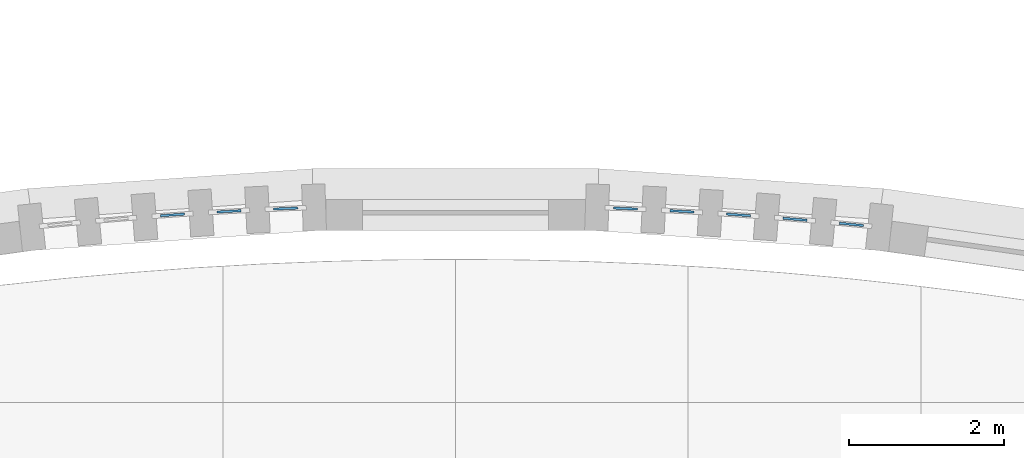
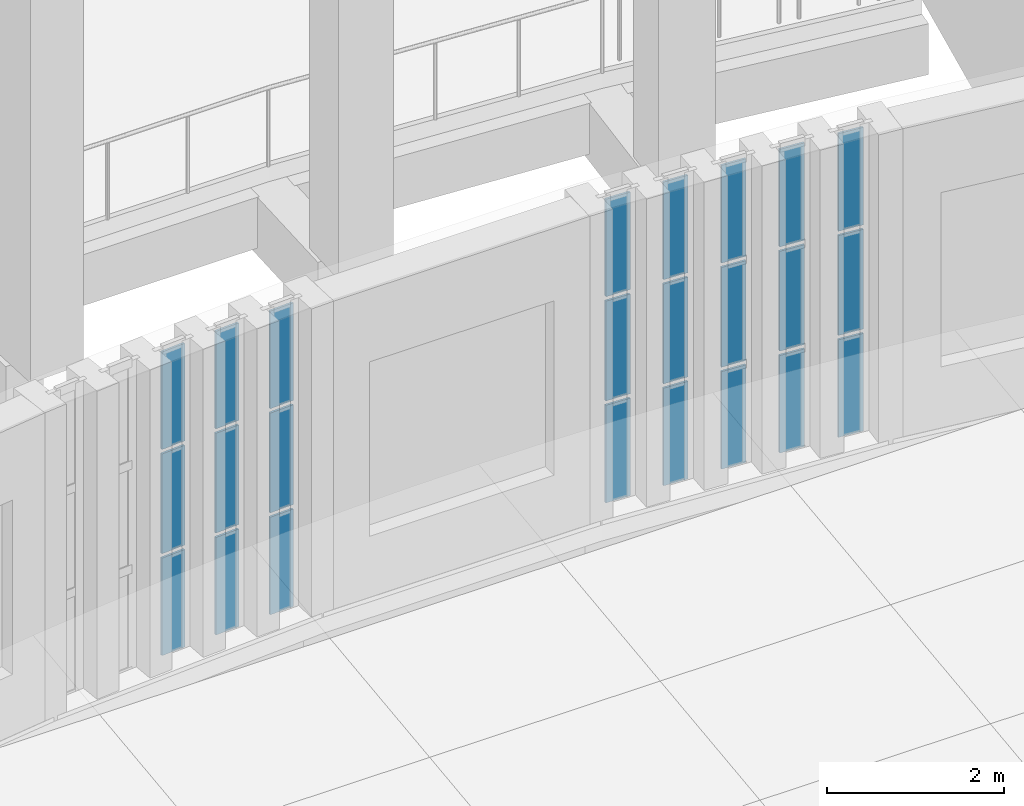
# One storey, part 44 of 112: 24 plates, 8 elements without a shape of their own.
"""IFC4 building model written with IfcOpenShell, lengths in metres."""

import ifcopenshell
import ifcopenshell.guid

model = None  # the IFC model being written
_history = None  # IfcOwnerHistory: only IFC2X3 demands one
_inside = {}  # id of a spatial element -> (the spatial element, [elements in it])
_under = {}  # id of a project, library or spatial element -> (it, [spatial elements below it])
_declared = {}  # id of a project -> (the project, [libraries it declares])
_typed = {}  # id of a type object -> (the type object, [elements of that type])
_made_of = {}  # id of a material, layer set ... -> (it, [elements and type objects made of it])


def new_model(schema):
    """Start an empty IFC model of exactly this schema.

    Asked for "IFC4X3", IfcOpenShell would pick the latest addendum, in which some entities
    have other attributes; the version numbers below select the first issue.
    IFC2X3 requires an IfcOwnerHistory on every rooted entity: one is made here for all.
    """
    global model, _history
    if schema == "IFC4X3":
        model = ifcopenshell.file(schema_version=(4, 3, 0, 0))
    else:
        model = ifcopenshell.file(schema=schema)
    _inside.clear()
    _under.clear()
    _declared.clear()
    _typed.clear()
    _made_of.clear()
    _history = None
    if model.schema == "IFC2X3":
        org = make("IfcOrganization", Name="unknown")
        user = make(
            "IfcPersonAndOrganization",
            ThePerson=make("IfcPerson", FamilyName="unknown"),
            TheOrganization=org,
        )
        app = make(
            "IfcApplication",
            ApplicationDeveloper=org,
            Version="unknown",
            ApplicationFullName="unknown",
            ApplicationIdentifier="unknown",
        )
        _history = make(
            "IfcOwnerHistory",
            OwningUser=user,
            OwningApplication=app,
            ChangeAction="ADDED",
            CreationDate=0,
        )
    return model


def make(cls, **values):
    """One entity of the class cls with the attributes given. An attribute that is None is left unset."""
    return model.create_entity(
        cls, **{name: value for name, value in values.items() if value is not None}
    )


def rooted(cls, **values):
    """An entity with a GlobalId (a new one), such as an element, a storey or a relation."""
    return make(cls, GlobalId=ifcopenshell.guid.new(), OwnerHistory=_history, **values)


def si_unit(unit_type, name, prefix=None):
    """IfcSIUnit, for example si_unit("LENGTHUNIT", "METRE", prefix="MILLI")."""
    return make("IfcSIUnit", UnitType=unit_type, Prefix=prefix, Name=name)


def assignment(units):
    """IfcUnitAssignment: the units of a project."""
    return None if units is None else make("IfcUnitAssignment", Units=units)


def point(xyz):
    """IfcCartesianPoint."""
    return None if xyz is None else make("IfcCartesianPoint", Coordinates=xyz)


def direction(xyz):
    """IfcDirection."""
    return None if xyz is None else make("IfcDirection", DirectionRatios=xyz)


def frame(location, z_axis=None, x_axis=None):
    """IfcAxis2Placement3D, a coordinate frame: its origin and axes. An axis left out is left unset."""
    return make(
        "IfcAxis2Placement3D",
        Location=point(location),
        Axis=direction(z_axis),
        RefDirection=direction(x_axis),
    )


def frame_2d(location, x_axis=None):
    """IfcAxis2Placement2D, a coordinate frame in the plane: its origin and x axis."""
    return make(
        "IfcAxis2Placement2D", Location=point(location), RefDirection=direction(x_axis)
    )


def origin():
    """The frame at (0, 0, 0) with its axes left unset."""
    return frame((0.0, 0.0, 0.0))


def origin_2d():
    """The frame at (0, 0) in the plane with its x axis left unset."""
    return frame_2d((0.0, 0.0))


def place(relative_to, where):
    """IfcLocalPlacement: puts the frame where relative to a parent placement (None: the world)."""
    return make(
        "IfcLocalPlacement", PlacementRelTo=relative_to, RelativePlacement=where
    )


def context(
    kind, dimensions, precision=None, world=None, true_north=None, identifier=None
):
    """IfcGeometricRepresentationContext, for example the 3D "Model" context."""
    return make(
        "IfcGeometricRepresentationContext",
        ContextIdentifier=identifier,
        ContextType=kind,
        CoordinateSpaceDimension=dimensions,
        Precision=precision,
        WorldCoordinateSystem=world,
        TrueNorth=true_north,
    )


def subcontext(parent, identifier, kind, view, scale=None):
    """IfcGeometricRepresentationSubContext, for example "Body" below "Model"."""
    return make(
        "IfcGeometricRepresentationSubContext",
        ContextIdentifier=identifier,
        ContextType=kind,
        ParentContext=parent,
        TargetScale=scale,
        TargetView=view,
    )


def project(units=None, contexts=None):
    """IfcProject with its units and contexts."""
    return rooted(
        "IfcProject",
        Name="project",
        RepresentationContexts=contexts,
        UnitsInContext=assignment(units),
    )


def spatial(cls, under=None, at=None, **own):
    """A site, building, storey or space (cls), placed at a placement, below another one or the project."""
    s = rooted(cls, ObjectPlacement=at, **own)
    if under is not None:
        _under.setdefault(under.id(), (under, []))[1].append(s)
    return s


def profile(cls, at=None, kind="AREA", **sizes):
    """A parametric profile (cls). Its sizes go by their IFC names, for example OverallWidth=200.0."""
    return make(cls, ProfileType=kind, Position=at, **sizes)


def rectangle(**sizes):
    """IfcRectangleProfileDef."""
    return profile("IfcRectangleProfileDef", **sizes)


def extrude(swept, where, along, depth):
    """IfcExtrudedAreaSolid: the profile swept, set in the frame where, extruded along a direction by depth."""
    return make(
        "IfcExtrudedAreaSolid",
        SweptArea=swept,
        Position=where,
        ExtrudedDirection=direction(along),
        Depth=depth,
    )


def shape(context_of_items, identifier, shape_type, items):
    """IfcShapeRepresentation: the items that make up one representation, for example the "Body"."""
    return make(
        "IfcShapeRepresentation",
        ContextOfItems=context_of_items,
        RepresentationIdentifier=identifier,
        RepresentationType=shape_type,
        Items=items,
    )


def material(Name=None, Category=None):
    """IfcMaterial."""
    return make("IfcMaterial", Name=Name, Category=Category)


def layer(
    of_material, thickness, ventilated=None, Name=None, Category=None, Priority=None
):
    """IfcMaterialLayer: one layer of a wall or slab, of a material (None: an air gap)."""
    return make(
        "IfcMaterialLayer",
        Material=of_material,
        LayerThickness=thickness,
        IsVentilated=ventilated,
        Name=Name,
        Category=Category,
        Priority=Priority,
    )


def layer_set(layers, Name=None):
    """IfcMaterialLayerSet."""
    return make("IfcMaterialLayerSet", MaterialLayers=layers, LayerSetName=Name)


def made_of(thing, what):
    """Note that an element or type object is made of a material, layer set ...; save() writes the relation."""
    if what is not None:
        _made_of.setdefault(what.id(), (what, []))[1].append(thing)
    return thing


def type_object(cls, material=None, **own):
    """A type object (cls), such as IfcWallType, which elements share."""
    return made_of(rooted(cls, **own), material)


def element(
    cls,
    number,
    at=None,
    inside=None,
    cuts=None,
    type_object=None,
    material=None,
    context=None,
    identifier="Body",
    shape_type=None,
    held_by="IfcProductDefinitionShape",
    body=None,
    shapes=None,
    **own,
):
    """One element of the class cls, such as IfcWall. Its Tag is "e" and its number.

    at: its placement. inside: the storey or other place that contains it. cuts: it is an
    opening in that element (IfcRelVoidsElement). A single representation is given by context,
    identifier, shape_type and body (its items); several are given by shapes. held_by: the class
    of the entity that holds the representations. save() writes the other relations.
    """
    e = rooted(cls, Tag="e%d" % number, ObjectPlacement=at, **own)
    if body is not None:
        shapes = [shape(context, identifier, shape_type, body)]
    if shapes is not None:
        e.Representation = make(held_by, Representations=shapes)
    if inside is not None:
        _inside.setdefault(inside.id(), (inside, []))[1].append(e)
    if cuts is not None:
        rooted(
            "IfcRelVoidsElement", RelatingBuildingElement=cuts, RelatedOpeningElement=e
        )
    if type_object is not None:
        _typed.setdefault(type_object.id(), (type_object, []))[1].append(e)
    return made_of(e, material)


def aggregate(whole, parts):
    """IfcRelAggregates: a whole, such as a stair, and the parts it consists of."""
    return rooted("IfcRelAggregates", RelatingObject=whole, RelatedObjects=parts)


def save(model, path):
    """Write the relations noted so far, then the file.

    IfcRelAggregates (storeys below a building ...), IfcRelContainedInSpatialStructure (elements
    in a storey), IfcRelDefinesByType, IfcRelAssociatesMaterial and IfcRelDeclares: one each for
    every whole, place, type object, material and project.
    """
    for whole, parts in _under.values():
        aggregate(whole, parts)
    for where, things in _inside.values():
        rooted(
            "IfcRelContainedInSpatialStructure",
            RelatedElements=things,
            RelatingStructure=where,
        )
    for kind, things in _typed.values():
        rooted("IfcRelDefinesByType", RelatedObjects=things, RelatingType=kind)
    for what, things in _made_of.values():
        rooted("IfcRelAssociatesMaterial", RelatedObjects=things, RelatingMaterial=what)
    for by, libraries in _declared.values():
        rooted("IfcRelDeclares", RelatingContext=by, RelatedDefinitions=libraries)
    model.write(path)


model = new_model("IFC4")

# Units and contexts
model_context = context("Model", 3, precision=1e-05, world=origin(), true_north=direction((0.0, 1.0)))
body_context = subcontext(model_context, "Body", "Model", "MODEL_VIEW")
ifc_project = project(units=[si_unit("LENGTHUNIT", "METRE"), si_unit("AREAUNIT", "SQUARE_METRE"), si_unit("VOLUMEUNIT", "CUBIC_METRE"), si_unit("PLANEANGLEUNIT", "RADIAN"), si_unit("MASSUNIT", "GRAM", prefix="KILO")], contexts=[model_context])

# Site, building, storey
site_placement = place(None, origin())
site = spatial("IfcSite", under=ifc_project, at=site_placement, CompositionType="ELEMENT")
building_placement = place(site_placement, origin())
building = spatial("IfcBuilding", under=site, at=building_placement, Name="Lunette Opera House", CompositionType="ELEMENT")
storey_placement = place(building_placement, frame((0.0, 0.0, 6.0)))
storey = spatial("IfcBuildingStorey", under=building, at=storey_placement, Name="L01", CompositionType="ELEMENT", Elevation=6.0)

# Curtain wall, plates
ifc_material_1 = material(Name="Aluminium", Category="aluminium")
ifc_layer_1 = layer(ifc_material_1, 0.1201171875)
ifc_layer_set_1 = layer_set([ifc_layer_1], Name="Aluminium")
curtain_wall_type = type_object("IfcCurtainWallType", Name="SLOT CURTAIN WALL", PredefinedType="NOTDEFINED", material=ifc_layer_set_1)
curtain_wall_1_placement = place(storey_placement, origin())
curtain_wall_1 = element("IfcCurtainWall", 1, at=curtain_wall_1_placement, inside=storey, type_object=curtain_wall_type, Name="Slot Curtain Wall CS038 L01", PredefinedType="NOTDEFINED")
ifc_material_2 = material(Name="Laminated glass", Category="glass")
ifc_layer_2 = layer(ifc_material_2, 0.028076171875)
ifc_layer_set_2 = layer_set([ifc_layer_2], Name="Laminated glass")
plate_type = type_object("IfcPlateType", Name="CURTAIN PANEL LAMINATED GLASS 28", PredefinedType="CURTAIN_PANEL", material=ifc_layer_set_2)
plate_1_placement = place(storey_placement, frame((92.3515625, 52.172119140625, 0.06005859375), z_axis=(0.0, 0.0, 1.0), x_axis=(0.997563824094, 0.069759707987, 0.0)))
plate_1 = element("IfcPlate", 2, at=plate_1_placement, type_object=plate_type, Name="FC-X2076 panel 1.1", PredefinedType="CURTAIN_PANEL", context=body_context, shape_type="SweptSolid", body=[
    extrude(rectangle(XDim=0.31005859375, YDim=0.028076171875, at=origin_2d()), origin(), (0.0, 0.0, 1.0), 1.343017578125),
])
plate_2_placement = place(storey_placement, frame((92.3515625, 52.172119140625, 1.462890625), z_axis=(0.0, 0.0, 1.0), x_axis=(0.997563824094, 0.069759707987, 0.0)))
plate_2 = element("IfcPlate", 3, at=plate_2_placement, type_object=plate_type, Name="FC-X2076 panel 1.2", PredefinedType="CURTAIN_PANEL", context=body_context, shape_type="SweptSolid", body=[
    extrude(rectangle(XDim=0.31005859375, YDim=0.028076171875, at=origin_2d()), origin(), (0.0, 0.0, 1.0), 1.3740234375),
])
plate_3_placement = place(storey_placement, frame((92.3515625, 52.172119140625, 2.89697265625), z_axis=(0.0, 0.0, 1.0), x_axis=(0.997563824094, 0.069759707987, 0.0)))
plate_3 = element("IfcPlate", 4, at=plate_3_placement, type_object=plate_type, Name="FC-X2076 panel 1.3", PredefinedType="CURTAIN_PANEL", context=body_context, shape_type="SweptSolid", body=[
    extrude(rectangle(XDim=0.31005859375, YDim=0.028076171875, at=origin_2d()), origin(), (0.0, 0.0, 1.0), 1.343017578125),
])
aggregate(curtain_wall_1, [plate_1, plate_2, plate_3])

curtain_wall_2_placement = place(storey_placement, origin())
curtain_wall_2 = element("IfcCurtainWall", 5, at=curtain_wall_2_placement, inside=storey, type_object=curtain_wall_type, Name="Slot Curtain Wall CS039 L01", PredefinedType="NOTDEFINED")
plate_4_placement = place(storey_placement, frame((93.08056640625, 52.218017578125, 0.06005859375), z_axis=(0.0, 0.0, 1.0), x_axis=(0.99843879497, 0.055856715797, 0.0)))
plate_4 = element("IfcPlate", 6, at=plate_4_placement, type_object=plate_type, Name="FC-X2078 panel 1.1", PredefinedType="CURTAIN_PANEL", context=body_context, shape_type="SweptSolid", body=[
    extrude(rectangle(XDim=0.3095703125, YDim=0.028076171875, at=origin_2d()), origin(), (0.0, 0.0, 1.0), 1.343017578125),
])
plate_5_placement = place(storey_placement, frame((93.08056640625, 52.218017578125, 1.462890625), z_axis=(0.0, 0.0, 1.0), x_axis=(0.99843879497, 0.055856715797, 0.0)))
plate_5 = element("IfcPlate", 7, at=plate_5_placement, type_object=plate_type, Name="FC-X2078 panel 1.2", PredefinedType="CURTAIN_PANEL", context=body_context, shape_type="SweptSolid", body=[
    extrude(rectangle(XDim=0.3095703125, YDim=0.028076171875, at=origin_2d()), origin(), (0.0, 0.0, 1.0), 1.3740234375),
])
plate_6_placement = place(storey_placement, frame((93.08056640625, 52.218017578125, 2.89697265625), z_axis=(0.0, 0.0, 1.0), x_axis=(0.99843879497, 0.055856715797, 0.0)))
plate_6 = element("IfcPlate", 8, at=plate_6_placement, type_object=plate_type, Name="FC-X2078 panel 1.3", PredefinedType="CURTAIN_PANEL", context=body_context, shape_type="SweptSolid", body=[
    extrude(rectangle(XDim=0.3095703125, YDim=0.028076171875, at=origin_2d()), origin(), (0.0, 0.0, 1.0), 1.343017578125),
])
aggregate(curtain_wall_2, [plate_4, plate_5, plate_6])

curtain_wall_3_placement = place(storey_placement, origin())
curtain_wall_3 = element("IfcCurtainWall", 9, at=curtain_wall_3_placement, inside=storey, type_object=curtain_wall_type, Name="Slot Curtain Wall CS040 L01", PredefinedType="NOTDEFINED")
plate_7_placement = place(storey_placement, frame((93.81005859375, 52.25390625, 0.06005859375), z_axis=(0.0, 0.0, 1.0), x_axis=(0.999125000508, 0.04182383723, 0.0)))
plate_7 = element("IfcPlate", 10, at=plate_7_placement, type_object=plate_type, Name="FC-X2080 panel 1.1", PredefinedType="CURTAIN_PANEL", context=body_context, shape_type="SweptSolid", body=[
    extrude(rectangle(XDim=0.310302734375, YDim=0.028076171875, at=origin_2d()), origin(), (0.0, 0.0, 1.0), 1.343017578125),
])
plate_8_placement = place(storey_placement, frame((93.81005859375, 52.25390625, 1.462890625), z_axis=(0.0, 0.0, 1.0), x_axis=(0.999125000508, 0.04182383723, 0.0)))
plate_8 = element("IfcPlate", 11, at=plate_8_placement, type_object=plate_type, Name="FC-X2080 panel 1.2", PredefinedType="CURTAIN_PANEL", context=body_context, shape_type="SweptSolid", body=[
    extrude(rectangle(XDim=0.310302734375, YDim=0.028076171875, at=origin_2d()), origin(), (0.0, 0.0, 1.0), 1.3740234375),
])
plate_9_placement = place(storey_placement, frame((93.81005859375, 52.25390625, 2.89697265625), z_axis=(0.0, 0.0, 1.0), x_axis=(0.999125000508, 0.04182383723, 0.0)))
plate_9 = element("IfcPlate", 12, at=plate_9_placement, type_object=plate_type, Name="FC-X2080 panel 1.3", PredefinedType="CURTAIN_PANEL", context=body_context, shape_type="SweptSolid", body=[
    extrude(rectangle(XDim=0.310302734375, YDim=0.028076171875, at=origin_2d()), origin(), (0.0, 0.0, 1.0), 1.343017578125),
])
aggregate(curtain_wall_3, [plate_7, plate_8, plate_9])

curtain_wall_4_placement = place(storey_placement, origin())
curtain_wall_4 = element("IfcCurtainWall", 13, at=curtain_wall_4_placement, inside=storey, type_object=curtain_wall_type, Name="Slot Curtain Wall CS041 L01", PredefinedType="NOTDEFINED")
plate_10_placement = place(storey_placement, frame((98.18994140625, 52.25390625, 0.06005859375), z_axis=(0.0, 0.0, 1.0), x_axis=(0.999125000508, -0.04182383723, 0.0)))
plate_10 = element("IfcPlate", 14, at=plate_10_placement, type_object=plate_type, Name="FC-X2082 panel 1.1", PredefinedType="CURTAIN_PANEL", context=body_context, shape_type="SweptSolid", body=[
    extrude(rectangle(XDim=0.310302734375, YDim=0.028076171875, at=origin_2d()), origin(), (0.0, 0.0, 1.0), 1.343017578125),
])
plate_11_placement = place(storey_placement, frame((98.18994140625, 52.25390625, 1.462890625), z_axis=(0.0, 0.0, 1.0), x_axis=(0.999125000508, -0.04182383723, 0.0)))
plate_11 = element("IfcPlate", 15, at=plate_11_placement, type_object=plate_type, Name="FC-X2082 panel 1.2", PredefinedType="CURTAIN_PANEL", context=body_context, shape_type="SweptSolid", body=[
    extrude(rectangle(XDim=0.310302734375, YDim=0.028076171875, at=origin_2d()), origin(), (0.0, 0.0, 1.0), 1.3740234375),
])
plate_12_placement = place(storey_placement, frame((98.18994140625, 52.25390625, 2.89697265625), z_axis=(0.0, 0.0, 1.0), x_axis=(0.999125000508, -0.04182383723, 0.0)))
plate_12 = element("IfcPlate", 16, at=plate_12_placement, type_object=plate_type, Name="FC-X2082 panel 1.3", PredefinedType="CURTAIN_PANEL", context=body_context, shape_type="SweptSolid", body=[
    extrude(rectangle(XDim=0.310302734375, YDim=0.028076171875, at=origin_2d()), origin(), (0.0, 0.0, 1.0), 1.343017578125),
])
aggregate(curtain_wall_4, [plate_10, plate_11, plate_12])

curtain_wall_5_placement = place(storey_placement, origin())
curtain_wall_5 = element("IfcCurtainWall", 17, at=curtain_wall_5_placement, inside=storey, type_object=curtain_wall_type, Name="Slot Curtain Wall CS042 L01", PredefinedType="NOTDEFINED")
plate_13_placement = place(storey_placement, frame((98.91943359375, 52.218017578125, 0.06005859375), z_axis=(0.0, 0.0, 1.0), x_axis=(0.99843879497, -0.055856715797, 0.0)))
plate_13 = element("IfcPlate", 18, at=plate_13_placement, type_object=plate_type, Name="FC-X2084 panel 1.1", PredefinedType="CURTAIN_PANEL", context=body_context, shape_type="SweptSolid", body=[
    extrude(rectangle(XDim=0.3095703125, YDim=0.028076171875, at=origin_2d()), origin(), (0.0, 0.0, 1.0), 1.343017578125),
])
plate_14_placement = place(storey_placement, frame((98.91943359375, 52.218017578125, 1.462890625), z_axis=(0.0, 0.0, 1.0), x_axis=(0.99843879497, -0.055856715797, 0.0)))
plate_14 = element("IfcPlate", 19, at=plate_14_placement, type_object=plate_type, Name="FC-X2084 panel 1.2", PredefinedType="CURTAIN_PANEL", context=body_context, shape_type="SweptSolid", body=[
    extrude(rectangle(XDim=0.3095703125, YDim=0.028076171875, at=origin_2d()), origin(), (0.0, 0.0, 1.0), 1.3740234375),
])
plate_15_placement = place(storey_placement, frame((98.91943359375, 52.218017578125, 2.89697265625), z_axis=(0.0, 0.0, 1.0), x_axis=(0.99843879497, -0.055856715797, 0.0)))
plate_15 = element("IfcPlate", 20, at=plate_15_placement, type_object=plate_type, Name="FC-X2084 panel 1.3", PredefinedType="CURTAIN_PANEL", context=body_context, shape_type="SweptSolid", body=[
    extrude(rectangle(XDim=0.3095703125, YDim=0.028076171875, at=origin_2d()), origin(), (0.0, 0.0, 1.0), 1.343017578125),
])
aggregate(curtain_wall_5, [plate_13, plate_14, plate_15])

curtain_wall_6_placement = place(storey_placement, origin())
curtain_wall_6 = element("IfcCurtainWall", 21, at=curtain_wall_6_placement, inside=storey, type_object=curtain_wall_type, Name="Slot Curtain Wall CS043 L01", PredefinedType="NOTDEFINED")
plate_16_placement = place(storey_placement, frame((99.6484375, 52.172119140625, 0.06005859375), z_axis=(0.0, 0.0, 1.0), x_axis=(0.997563824094, -0.069759707987, 0.0)))
plate_16 = element("IfcPlate", 22, at=plate_16_placement, type_object=plate_type, Name="FC-X2086 panel 1.1", PredefinedType="CURTAIN_PANEL", context=body_context, shape_type="SweptSolid", body=[
    extrude(rectangle(XDim=0.31005859375, YDim=0.028076171875, at=origin_2d()), origin(), (0.0, 0.0, 1.0), 1.343017578125),
])
plate_17_placement = place(storey_placement, frame((99.6484375, 52.172119140625, 1.462890625), z_axis=(0.0, 0.0, 1.0), x_axis=(0.997563824094, -0.069759707987, 0.0)))
plate_17 = element("IfcPlate", 23, at=plate_17_placement, type_object=plate_type, Name="FC-X2086 panel 1.2", PredefinedType="CURTAIN_PANEL", context=body_context, shape_type="SweptSolid", body=[
    extrude(rectangle(XDim=0.31005859375, YDim=0.028076171875, at=origin_2d()), origin(), (0.0, 0.0, 1.0), 1.3740234375),
])
plate_18_placement = place(storey_placement, frame((99.6484375, 52.172119140625, 2.89697265625), z_axis=(0.0, 0.0, 1.0), x_axis=(0.997563824094, -0.069759707987, 0.0)))
plate_18 = element("IfcPlate", 24, at=plate_18_placement, type_object=plate_type, Name="FC-X2086 panel 1.3", PredefinedType="CURTAIN_PANEL", context=body_context, shape_type="SweptSolid", body=[
    extrude(rectangle(XDim=0.31005859375, YDim=0.028076171875, at=origin_2d()), origin(), (0.0, 0.0, 1.0), 1.343017578125),
])
aggregate(curtain_wall_6, [plate_16, plate_17, plate_18])

curtain_wall_7_placement = place(storey_placement, origin())
curtain_wall_7 = element("IfcCurtainWall", 25, at=curtain_wall_7_placement, inside=storey, type_object=curtain_wall_type, Name="Slot Curtain Wall CS044 L01", PredefinedType="NOTDEFINED")
plate_19_placement = place(storey_placement, frame((100.37646484375, 52.115966796875, 0.06005859375), z_axis=(0.0, 0.0, 1.0), x_axis=(0.996497532655, -0.083622170575, 0.0)))
plate_19 = element("IfcPlate", 26, at=plate_19_placement, type_object=plate_type, Name="FC-X2088 panel 1.1", PredefinedType="CURTAIN_PANEL", context=body_context, shape_type="SweptSolid", body=[
    extrude(rectangle(XDim=0.310546875, YDim=0.028076171875, at=origin_2d()), origin(), (0.0, 0.0, 1.0), 1.343017578125),
])
plate_20_placement = place(storey_placement, frame((100.37646484375, 52.115966796875, 1.462890625), z_axis=(0.0, 0.0, 1.0), x_axis=(0.996497532655, -0.083622170575, 0.0)))
plate_20 = element("IfcPlate", 27, at=plate_20_placement, type_object=plate_type, Name="FC-X2088 panel 1.2", PredefinedType="CURTAIN_PANEL", context=body_context, shape_type="SweptSolid", body=[
    extrude(rectangle(XDim=0.310546875, YDim=0.028076171875, at=origin_2d()), origin(), (0.0, 0.0, 1.0), 1.3740234375),
])
plate_21_placement = place(storey_placement, frame((100.37646484375, 52.115966796875, 2.89697265625), z_axis=(0.0, 0.0, 1.0), x_axis=(0.996497532655, -0.083622170575, 0.0)))
plate_21 = element("IfcPlate", 28, at=plate_21_placement, type_object=plate_type, Name="FC-X2088 panel 1.3", PredefinedType="CURTAIN_PANEL", context=body_context, shape_type="SweptSolid", body=[
    extrude(rectangle(XDim=0.310546875, YDim=0.028076171875, at=origin_2d()), origin(), (0.0, 0.0, 1.0), 1.343017578125),
])
aggregate(curtain_wall_7, [plate_19, plate_20, plate_21])

curtain_wall_8_placement = place(storey_placement, origin())
curtain_wall_8 = element("IfcCurtainWall", 29, at=curtain_wall_8_placement, inside=storey, type_object=curtain_wall_type, Name="Slot Curtain Wall CS045 L01", PredefinedType="NOTDEFINED")
plate_22_placement = place(storey_placement, frame((101.103515625, 52.050048828125, 0.06005859375), z_axis=(0.0, 0.0, 1.0), x_axis=(0.995241767526, -0.097436256965, 0.0)))
plate_22 = element("IfcPlate", 30, at=plate_22_placement, type_object=plate_type, Name="FC-X2090 panel 1.1", PredefinedType="CURTAIN_PANEL", context=body_context, shape_type="SweptSolid", body=[
    extrude(rectangle(XDim=0.31103515625, YDim=0.028076171875, at=origin_2d()), origin(), (0.0, 0.0, 1.0), 1.343017578125),
])
plate_23_placement = place(storey_placement, frame((101.103515625, 52.050048828125, 1.462890625), z_axis=(0.0, 0.0, 1.0), x_axis=(0.995241767526, -0.097436256965, 0.0)))
plate_23 = element("IfcPlate", 31, at=plate_23_placement, type_object=plate_type, Name="FC-X2090 panel 1.2", PredefinedType="CURTAIN_PANEL", context=body_context, shape_type="SweptSolid", body=[
    extrude(rectangle(XDim=0.31103515625, YDim=0.028076171875, at=origin_2d()), origin(), (0.0, 0.0, 1.0), 1.3740234375),
])
plate_24_placement = place(storey_placement, frame((101.103515625, 52.050048828125, 2.89697265625), z_axis=(0.0, 0.0, 1.0), x_axis=(0.995241767526, -0.097436256965, 0.0)))
plate_24 = element("IfcPlate", 32, at=plate_24_placement, type_object=plate_type, Name="FC-X2090 panel 1.3", PredefinedType="CURTAIN_PANEL", context=body_context, shape_type="SweptSolid", body=[
    extrude(rectangle(XDim=0.31103515625, YDim=0.028076171875, at=origin_2d()), origin(), (0.0, 0.0, 1.0), 1.343017578125),
])
aggregate(curtain_wall_8, [plate_22, plate_23, plate_24])

save(model, "model.ifc")
